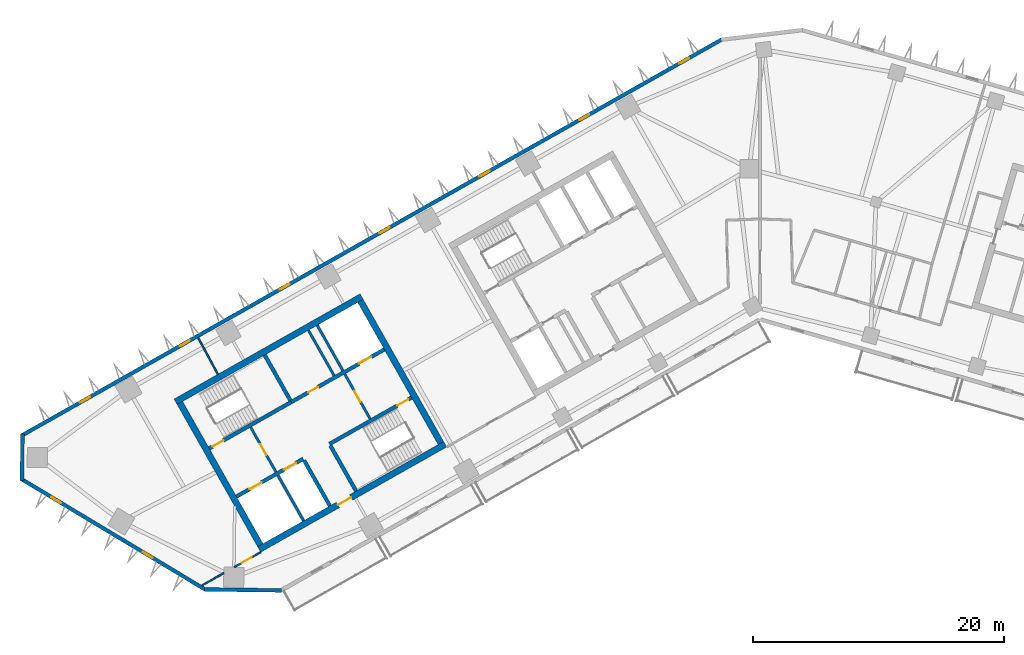
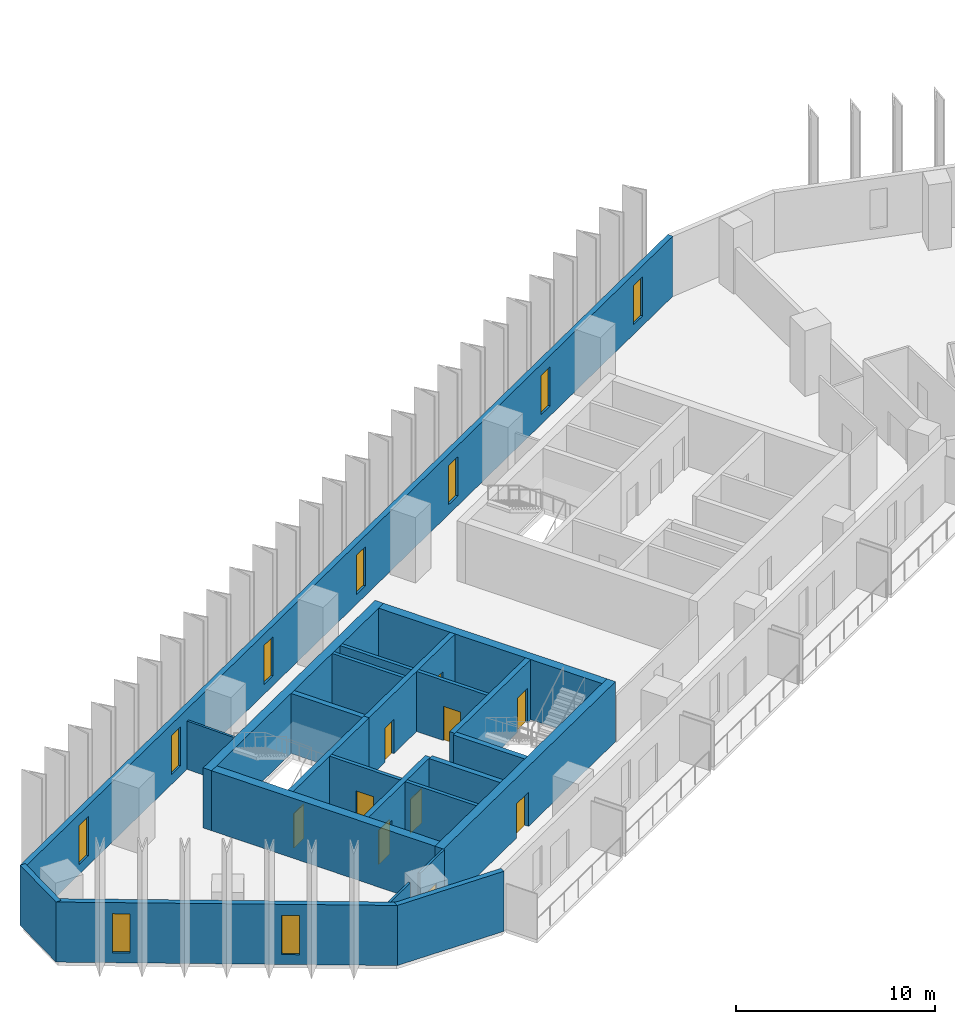
# One storey, part 3 of 10: 23 walls, 10 doors, 9 windows, 19 openings.
"""IFC4 building model written with IfcOpenShell, lengths in metres."""

import ifcopenshell
import ifcopenshell.guid

model = None  # the IFC model being written
_history = None  # IfcOwnerHistory: only IFC2X3 demands one
_inside = {}  # id of a spatial element -> (the spatial element, [elements in it])
_under = {}  # id of a project, library or spatial element -> (it, [spatial elements below it])
_declared = {}  # id of a project -> (the project, [libraries it declares])
_typed = {}  # id of a type object -> (the type object, [elements of that type])
_made_of = {}  # id of a material, layer set ... -> (it, [elements and type objects made of it])


def new_model(schema):
    """Start an empty IFC model of exactly this schema.

    Asked for "IFC4X3", IfcOpenShell would pick the latest addendum, in which some entities
    have other attributes; the version numbers below select the first issue.
    IFC2X3 requires an IfcOwnerHistory on every rooted entity: one is made here for all.
    """
    global model, _history
    if schema == "IFC4X3":
        model = ifcopenshell.file(schema_version=(4, 3, 0, 0))
    else:
        model = ifcopenshell.file(schema=schema)
    _inside.clear()
    _under.clear()
    _declared.clear()
    _typed.clear()
    _made_of.clear()
    _history = None
    if model.schema == "IFC2X3":
        org = make("IfcOrganization", Name="unknown")
        user = make(
            "IfcPersonAndOrganization",
            ThePerson=make("IfcPerson", FamilyName="unknown"),
            TheOrganization=org,
        )
        app = make(
            "IfcApplication",
            ApplicationDeveloper=org,
            Version="unknown",
            ApplicationFullName="unknown",
            ApplicationIdentifier="unknown",
        )
        _history = make(
            "IfcOwnerHistory",
            OwningUser=user,
            OwningApplication=app,
            ChangeAction="ADDED",
            CreationDate=0,
        )
    return model


def make(cls, **values):
    """One entity of the class cls with the attributes given. An attribute that is None is left unset."""
    return model.create_entity(
        cls, **{name: value for name, value in values.items() if value is not None}
    )


def rooted(cls, **values):
    """An entity with a GlobalId (a new one), such as an element, a storey or a relation."""
    return make(cls, GlobalId=ifcopenshell.guid.new(), OwnerHistory=_history, **values)


def si_unit(unit_type, name, prefix=None):
    """IfcSIUnit, for example si_unit("LENGTHUNIT", "METRE", prefix="MILLI")."""
    return make("IfcSIUnit", UnitType=unit_type, Prefix=prefix, Name=name)


def assignment(units):
    """IfcUnitAssignment: the units of a project."""
    return None if units is None else make("IfcUnitAssignment", Units=units)


def point(xyz):
    """IfcCartesianPoint."""
    return None if xyz is None else make("IfcCartesianPoint", Coordinates=xyz)


def direction(xyz):
    """IfcDirection."""
    return None if xyz is None else make("IfcDirection", DirectionRatios=xyz)


def frame(location, z_axis=None, x_axis=None):
    """IfcAxis2Placement3D, a coordinate frame: its origin and axes. An axis left out is left unset."""
    return make(
        "IfcAxis2Placement3D",
        Location=point(location),
        Axis=direction(z_axis),
        RefDirection=direction(x_axis),
    )


def frame_2d(location, x_axis=None):
    """IfcAxis2Placement2D, a coordinate frame in the plane: its origin and x axis."""
    return make(
        "IfcAxis2Placement2D", Location=point(location), RefDirection=direction(x_axis)
    )


def origin():
    """The frame at (0, 0, 0) with its axes left unset."""
    return frame((0.0, 0.0, 0.0))


def place(relative_to, where):
    """IfcLocalPlacement: puts the frame where relative to a parent placement (None: the world)."""
    return make(
        "IfcLocalPlacement", PlacementRelTo=relative_to, RelativePlacement=where
    )


def context(
    kind, dimensions, precision=None, world=None, true_north=None, identifier=None
):
    """IfcGeometricRepresentationContext, for example the 3D "Model" context."""
    return make(
        "IfcGeometricRepresentationContext",
        ContextIdentifier=identifier,
        ContextType=kind,
        CoordinateSpaceDimension=dimensions,
        Precision=precision,
        WorldCoordinateSystem=world,
        TrueNorth=true_north,
    )


def subcontext(parent, identifier, kind, view, scale=None):
    """IfcGeometricRepresentationSubContext, for example "Body" below "Model"."""
    return make(
        "IfcGeometricRepresentationSubContext",
        ContextIdentifier=identifier,
        ContextType=kind,
        ParentContext=parent,
        TargetScale=scale,
        TargetView=view,
    )


def project(units=None, contexts=None):
    """IfcProject with its units and contexts."""
    return rooted(
        "IfcProject",
        Name="project",
        RepresentationContexts=contexts,
        UnitsInContext=assignment(units),
    )


def spatial(cls, under=None, at=None, **own):
    """A site, building, storey or space (cls), placed at a placement, below another one or the project."""
    s = rooted(cls, ObjectPlacement=at, **own)
    if under is not None:
        _under.setdefault(under.id(), (under, []))[1].append(s)
    return s


def profile(cls, at=None, kind="AREA", **sizes):
    """A parametric profile (cls). Its sizes go by their IFC names, for example OverallWidth=200.0."""
    return make(cls, ProfileType=kind, Position=at, **sizes)


def rectangle(**sizes):
    """IfcRectangleProfileDef."""
    return profile("IfcRectangleProfileDef", **sizes)


def extrude(swept, where, along, depth):
    """IfcExtrudedAreaSolid: the profile swept, set in the frame where, extruded along a direction by depth."""
    return make(
        "IfcExtrudedAreaSolid",
        SweptArea=swept,
        Position=where,
        ExtrudedDirection=direction(along),
        Depth=depth,
    )


def shape(context_of_items, identifier, shape_type, items):
    """IfcShapeRepresentation: the items that make up one representation, for example the "Body"."""
    return make(
        "IfcShapeRepresentation",
        ContextOfItems=context_of_items,
        RepresentationIdentifier=identifier,
        RepresentationType=shape_type,
        Items=items,
    )


def material(Name=None, Category=None):
    """IfcMaterial."""
    return make("IfcMaterial", Name=Name, Category=Category)


def layer(
    of_material, thickness, ventilated=None, Name=None, Category=None, Priority=None
):
    """IfcMaterialLayer: one layer of a wall or slab, of a material (None: an air gap)."""
    return make(
        "IfcMaterialLayer",
        Material=of_material,
        LayerThickness=thickness,
        IsVentilated=ventilated,
        Name=Name,
        Category=Category,
        Priority=Priority,
    )


def layer_set(layers, Name=None):
    """IfcMaterialLayerSet."""
    return make("IfcMaterialLayerSet", MaterialLayers=layers, LayerSetName=Name)


def made_of(thing, what):
    """Note that an element or type object is made of a material, layer set ...; save() writes the relation."""
    if what is not None:
        _made_of.setdefault(what.id(), (what, []))[1].append(thing)
    return thing


def type_object(cls, material=None, **own):
    """A type object (cls), such as IfcWallType, which elements share."""
    return made_of(rooted(cls, **own), material)


def element(
    cls,
    number,
    at=None,
    inside=None,
    cuts=None,
    type_object=None,
    material=None,
    context=None,
    identifier="Body",
    shape_type=None,
    held_by="IfcProductDefinitionShape",
    body=None,
    shapes=None,
    **own,
):
    """One element of the class cls, such as IfcWall. Its Tag is "e" and its number.

    at: its placement. inside: the storey or other place that contains it. cuts: it is an
    opening in that element (IfcRelVoidsElement). A single representation is given by context,
    identifier, shape_type and body (its items); several are given by shapes. held_by: the class
    of the entity that holds the representations. save() writes the other relations.
    """
    e = rooted(cls, Tag="e%d" % number, ObjectPlacement=at, **own)
    if body is not None:
        shapes = [shape(context, identifier, shape_type, body)]
    if shapes is not None:
        e.Representation = make(held_by, Representations=shapes)
    if inside is not None:
        _inside.setdefault(inside.id(), (inside, []))[1].append(e)
    if cuts is not None:
        rooted(
            "IfcRelVoidsElement", RelatingBuildingElement=cuts, RelatedOpeningElement=e
        )
    if type_object is not None:
        _typed.setdefault(type_object.id(), (type_object, []))[1].append(e)
    return made_of(e, material)


def fill(opening, filler):
    """IfcRelFillsElement: the door or window that sits in an opening."""
    return rooted(
        "IfcRelFillsElement",
        RelatingOpeningElement=opening,
        RelatedBuildingElement=filler,
    )


def aggregate(whole, parts):
    """IfcRelAggregates: a whole, such as a stair, and the parts it consists of."""
    return rooted("IfcRelAggregates", RelatingObject=whole, RelatedObjects=parts)


def save(model, path):
    """Write the relations noted so far, then the file.

    IfcRelAggregates (storeys below a building ...), IfcRelContainedInSpatialStructure (elements
    in a storey), IfcRelDefinesByType, IfcRelAssociatesMaterial and IfcRelDeclares: one each for
    every whole, place, type object, material and project.
    """
    for whole, parts in _under.values():
        aggregate(whole, parts)
    for where, things in _inside.values():
        rooted(
            "IfcRelContainedInSpatialStructure",
            RelatedElements=things,
            RelatingStructure=where,
        )
    for kind, things in _typed.values():
        rooted("IfcRelDefinesByType", RelatedObjects=things, RelatingType=kind)
    for what, things in _made_of.values():
        rooted("IfcRelAssociatesMaterial", RelatedObjects=things, RelatingMaterial=what)
    for by, libraries in _declared.values():
        rooted("IfcRelDeclares", RelatingContext=by, RelatedDefinitions=libraries)
    model.write(path)


model = new_model("IFC4")

# Units and contexts
model_context = context("Model", 3, precision=1e-05, world=origin(), true_north=direction((0.0, 1.0)))
body_context = subcontext(model_context, "Body", "Model", "MODEL_VIEW")
ifc_project = project(units=[si_unit("LENGTHUNIT", "METRE"), si_unit("AREAUNIT", "SQUARE_METRE"), si_unit("VOLUMEUNIT", "CUBIC_METRE"), si_unit("PLANEANGLEUNIT", "RADIAN"), si_unit("MASSUNIT", "GRAM", prefix="KILO")], contexts=[model_context])

# Site, building, storey
site_placement = place(None, origin())
site = spatial("IfcSite", under=ifc_project, at=site_placement, CompositionType="ELEMENT")
building_placement = place(site_placement, origin())
building = spatial("IfcBuilding", under=site, at=building_placement, Name="Binnacle Exchange Tower", CompositionType="ELEMENT")
storey_placement = place(building_placement, frame((0.0, 0.0, 170.89990234375)))
storey = spatial("IfcBuildingStorey", under=building, at=storey_placement, Name="L36", CompositionType="ELEMENT", Elevation=170.89990234375)

# Wall, openings, doors
ifc_material_1 = material(Name="Concrete C70/85", Category="concrete")
ifc_layer_1 = layer(ifc_material_1, 0.300048828125)
ifc_layer_set_1 = layer_set([ifc_layer_1], Name="Core wall - front 300")
wall_type_1 = type_object("IfcWallType", Name="Core wall - front 300", PredefinedType="SOLIDWALL", material=ifc_layer_set_1)
wall_1_placement = place(storey_placement, frame((-41.64306640625, 33.91162109375, 0.0), z_axis=(0.0, 0.0, 1.0), x_axis=(0.870343599782, 0.492444939378, 0.0)))
wall_1 = element("IfcWall", 1, at=wall_1_placement, inside=storey, type_object=wall_type_1, Name="Core wall CRWA2", PredefinedType="SOLIDWALL", context=body_context, shape_type="SweptSolid", body=[
    extrude(rectangle(XDim=6.10009765625, YDim=0.300048828125, at=frame_2d((3.050048828125, 0.0))), origin(), (0.0, 0.0, 1.0), 3.68017578125),
])
opening_1_placement = place(wall_1_placement, frame((1.199951171875, 0.0, 0.0)))
opening_1 = element("IfcOpeningElement", 2, at=opening_1_placement, cuts=wall_1, Name="Opening LD12", PredefinedType="OPENING", context=body_context, shape_type="SweptSolid", body=[
    extrude(rectangle(XDim=1.10009765625, YDim=2.10009765625, at=frame_2d((0.550048828125, 1.050048828125))), frame((0.0, 0.159912109375, 0.0), z_axis=(0.0, -1.0, 0.0), x_axis=(1.0, 0.0, 0.0)), (0.0, 0.0, 1.0), 0.320068359375),
])
opening_2_placement = place(wall_1_placement, frame((4.35009765625, 0.0, 0.0)))
opening_2 = element("IfcOpeningElement", 3, at=opening_2_placement, cuts=wall_1, Name="Opening LD8", PredefinedType="OPENING", context=body_context, shape_type="SweptSolid", body=[
    extrude(rectangle(XDim=1.10009765625, YDim=2.10009765625, at=frame_2d((0.550048828125, 1.050048828125))), frame((0.0, 0.159912109375, 0.0), z_axis=(0.0, -1.0, 0.0), x_axis=(1.0, 0.0, 0.0)), (0.0, 0.0, 1.0), 0.320068359375),
])
ifc_material_2 = material(Name="Steel door leaf", Category="steel")
door_type_1 = type_object("IfcDoorType", Name="Fire door - lift landing 1100", OperationType="NOTDEFINED", PredefinedType="DOOR", material=ifc_material_2)
door_1_placement = place(opening_1_placement, origin())
door_1 = element("IfcDoor", 4, at=door_1_placement, inside=storey, type_object=door_type_1, Name="Landing door LD12 L36", OperationType="DOUBLE_DOOR_SLIDING", OverallHeight=2.10009765625, OverallWidth=1.10009765625, PredefinedType="DOOR", context=body_context, shape_type="SweptSolid", body=[
    extrude(rectangle(XDim=1.10009765625, YDim=2.10009765625, at=frame_2d((0.550048828125, 1.050048828125))), frame((0.0, 0.02490234375, 0.0), z_axis=(0.0, -1.0, 0.0), x_axis=(1.0, 0.0, 0.0)), (0.0, 0.0, 1.0), 0.050048828125),
])
fill(opening_1, door_1)
door_2_placement = place(opening_2_placement, origin())
door_2 = element("IfcDoor", 5, at=door_2_placement, inside=storey, type_object=door_type_1, Name="Landing door LD8 L36", OperationType="DOUBLE_DOOR_SLIDING", OverallHeight=2.10009765625, OverallWidth=1.10009765625, PredefinedType="DOOR", context=body_context, shape_type="SweptSolid", body=[
    extrude(rectangle(XDim=1.10009765625, YDim=2.10009765625, at=frame_2d((0.550048828125, 1.050048828125))), frame((0.0, 0.02490234375, 0.0), z_axis=(0.0, -1.0, 0.0), x_axis=(1.0, 0.0, 0.0)), (0.0, 0.0, 1.0), 0.050048828125),
])
fill(opening_2, door_2)

wall_2_placement = place(storey_placement, frame((-37.281982421875, 41.4345703125, 0.0), z_axis=(0.0, 0.0, 1.0), x_axis=(0.870356271124, 0.492422543467, 0.0)))
wall_2 = element("IfcWall", 6, at=wall_2_placement, inside=storey, type_object=wall_type_1, Name="Core wall CRWA5", PredefinedType="SOLIDWALL", context=body_context, shape_type="SweptSolid", body=[
    extrude(rectangle(XDim=8.5, YDim=0.300048828125, at=frame_2d((4.25, 0.0))), origin(), (0.0, 0.0, 1.0), 3.68017578125),
])
opening_3_placement = place(wall_2_placement, frame((6.199951171875, 0.0, 0.0)))
opening_3 = element("IfcOpeningElement", 7, at=opening_3_placement, cuts=wall_2, Name="Opening LD13", PredefinedType="OPENING", context=body_context, shape_type="SweptSolid", body=[
    extrude(rectangle(XDim=1.10009765625, YDim=2.10009765625, at=frame_2d((0.550048828125, 1.050048828125))), frame((0.0, 0.159912109375, 0.0), z_axis=(0.0, -1.0, 0.0), x_axis=(1.0, 0.0, 0.0)), (0.0, 0.0, 1.0), 0.320068359375),
])
opening_4_placement = place(wall_2_placement, frame((1.550048828125, 0.0, 0.0)))
opening_4 = element("IfcOpeningElement", 8, at=opening_4_placement, cuts=wall_2, Name="Opening DA10", PredefinedType="OPENING", context=body_context, shape_type="SweptSolid", body=[
    extrude(rectangle(XDim=0.89990234375, YDim=2.10009765625, at=frame_2d((0.449951171875, 1.050048828125))), frame((0.0, 0.159912109375, 0.0), z_axis=(0.0, -1.0, 0.0), x_axis=(1.0, 0.0, 0.0)), (0.0, 0.0, 1.0), 0.320068359375),
])
door_3_placement = place(opening_3_placement, origin())
door_3 = element("IfcDoor", 9, at=door_3_placement, inside=storey, type_object=door_type_1, Name="Landing door LD13 L36", OperationType="DOUBLE_DOOR_SLIDING", OverallHeight=2.10009765625, OverallWidth=1.10009765625, PredefinedType="DOOR", context=body_context, shape_type="SweptSolid", body=[
    extrude(rectangle(XDim=1.10009765625, YDim=2.10009765625, at=frame_2d((0.550048828125, 1.050048828125))), frame((0.0, 0.02490234375, 0.0), z_axis=(0.0, -1.0, 0.0), x_axis=(1.0, 0.0, 0.0)), (0.0, 0.0, 1.0), 0.050048828125),
])
fill(opening_3, door_3)
door_type_2 = type_object("IfcDoorType", Name="Fire door 900", OperationType="NOTDEFINED", PredefinedType="DOOR", material=ifc_material_2)
door_4_placement = place(opening_4_placement, origin())
door_4 = element("IfcDoor", 10, at=door_4_placement, inside=storey, type_object=door_type_2, Name="Core room door EQUIPMENT STORE", OperationType="SINGLE_SWING_LEFT", OverallHeight=2.10009765625, OverallWidth=0.89990234375, PredefinedType="DOOR", context=body_context, shape_type="SweptSolid", body=[
    extrude(rectangle(XDim=0.89990234375, YDim=2.10009765625, at=frame_2d((0.449951171875, 1.050048828125))), frame((0.0, 0.02490234375, 0.0), z_axis=(0.0, -1.0, 0.0), x_axis=(1.0, 0.0, 0.0)), (0.0, 0.0, 1.0), 0.050048828125),
])
fill(opening_4, door_4)

# Wall
wall_3_placement = place(storey_placement, frame((-36.260009765625, 36.784912109375, 0.0), z_axis=(0.0, 0.0, 1.0), x_axis=(0.492421666909, -0.870356767055, 0.0)))
element("IfcWall", 11, at=wall_3_placement, inside=storey, type_object=wall_type_1, Name="Core wall CRWA13", PredefinedType="SOLIDWALL", context=body_context, shape_type="SweptSolid", body=[
    extrude(rectangle(XDim=4.14990234375, YDim=0.300048828125, at=frame_2d((2.074951171875, 0.0))), origin(), (0.0, 0.0, 1.0), 3.68017578125),
])

# Wall, opening, door
ifc_layer_2 = layer(ifc_material_1, 0.5)
ifc_layer_set_2 = layer_set([ifc_layer_2], Name="Core wall - outer 500")
wall_type_2 = type_object("IfcWallType", Name="Core wall - outer 500", PredefinedType="SOLIDWALL", material=ifc_layer_set_2)
wall_4_placement = place(storey_placement, frame((-39.837646484375, 29.705322265625, 0.0), z_axis=(0.0, 0.0, 1.0), x_axis=(0.870350116061, 0.492433422375, 0.0)))
wall_4 = element("IfcWall", 12, at=wall_4_placement, inside=storey, type_object=wall_type_2, Name="Core wall CRWA1", PredefinedType="SOLIDWALL", context=body_context, shape_type="SweptSolid", body=[
    extrude(rectangle(XDim=17.0, YDim=0.5, at=frame_2d((8.5, 0.0))), origin(), (0.0, 0.0, 1.0), 3.68017578125),
])
opening_5_placement = place(wall_4_placement, frame((7.199951171875, 0.0, 0.0)))
opening_5 = element("IfcOpeningElement", 13, at=opening_5_placement, cuts=wall_4, Name="Opening DA7", PredefinedType="OPENING", context=body_context, shape_type="SweptSolid", body=[
    extrude(rectangle(XDim=1.199951171875, YDim=2.10009765625, at=frame_2d((0.60009765625, 1.050048828125))), frame((0.0, 0.260009765625, 0.0), z_axis=(0.0, -1.0, 0.0), x_axis=(1.0, 0.0, 0.0)), (0.0, 0.0, 1.0), 0.52001953125),
])
door_type_3 = type_object("IfcDoorType", Name="Fire door 1200", OperationType="NOTDEFINED", PredefinedType="DOOR", material=ifc_material_2)
door_5_placement = place(opening_5_placement, frame((1.199951171875, 0.0, 0.0), z_axis=(0.0, 0.0, 1.0), x_axis=(-1.0, 0.0, 0.0)))
door_5 = element("IfcDoor", 14, at=door_5_placement, inside=storey, type_object=door_type_3, Name="Lift lobby entrance door core A", OperationType="SINGLE_SWING_RIGHT", OverallHeight=2.10009765625, OverallWidth=1.199951171875, PredefinedType="DOOR", context=body_context, shape_type="SweptSolid", body=[
    extrude(rectangle(XDim=1.199951171875, YDim=2.10009765625, at=frame_2d((0.60009765625, 1.050048828125))), frame((0.0, 0.02490234375, 0.0), z_axis=(0.0, -1.0, 0.0), x_axis=(1.0, 0.0, 0.0)), (0.0, 0.0, 1.0), 0.050048828125),
])
fill(opening_5, door_5)

# Walls
wall_5_placement = place(storey_placement, frame((-46.485595703125, 41.455078125, 0.0), z_axis=(0.0, 0.0, 1.0), x_axis=(0.870353598469, 0.492427267353, 0.0)))
element("IfcWall", 15, at=wall_5_placement, inside=storey, type_object=wall_type_2, Name="Core wall CRWA6", PredefinedType="SOLIDWALL", context=body_context, shape_type="SweptSolid", body=[
    extrude(rectangle(XDim=17.000244140625, YDim=0.5, at=frame_2d((8.5, 0.0))), origin(), (0.0, 0.0, 1.0), 3.68017578125),
])
for number, where, z_axis, x_axis, name in (
    (16, (-46.144775390625, 41.360595703125, 0.0), (0.0, 0.0, 1.0), (0.492435316254, -0.870349044525, 0.0), "Core wall CRWA7"),
    (17, (-31.783935546875, 49.485595703125, 0.0), (0.0, 0.0, 1.0), (0.492435316254, -0.870349044525, 0.0), "Core wall CRWA22"),
):
    element("IfcWall", number, at=place(storey_placement, frame(where, z_axis=z_axis, x_axis=x_axis)), inside=storey, type_object=wall_type_2, Name=name, PredefinedType="SOLIDWALL", context=body_context, shape_type="SweptSolid", body=[
        extrude(rectangle(XDim=13.0, YDim=0.5, at=frame_2d((6.5, 0.0))), origin(), (0.0, 0.0, 1.0), 3.68017578125),
    ])

# Wall, opening, door
ifc_layer_3 = layer(ifc_material_1, 0.300048828125)
ifc_layer_set_3 = layer_set([ifc_layer_3], Name="Core wall - stair 300")
wall_type_3 = type_object("IfcWallType", Name="Core wall - stair 300", PredefinedType="SOLIDWALL", material=ifc_layer_set_3)
wall_6_placement = place(storey_placement, frame((-34.2451171875, 38.097412109375, 0.0), z_axis=(0.0, 0.0, 1.0), x_axis=(0.870364520461, 0.492407962489, 0.0)))
wall_6 = element("IfcWall", 18, at=wall_6_placement, inside=storey, type_object=wall_type_3, Name="Core wall CRWA3", PredefinedType="SOLIDWALL", context=body_context, shape_type="SweptSolid", body=[
    extrude(rectangle(XDim=7.5, YDim=0.300048828125, at=frame_2d((3.75, 0.0))), origin(), (0.0, 0.0, 1.0), 3.68017578125),
])
opening_6_placement = place(wall_6_placement, frame((6.199951171875, 0.0, 0.0)))
opening_6 = element("IfcOpeningElement", 19, at=opening_6_placement, cuts=wall_6, Name="Opening DA2", PredefinedType="OPENING", context=body_context, shape_type="SweptSolid", body=[
    extrude(rectangle(XDim=1.0, YDim=2.10009765625, at=frame_2d((0.5, 1.050048828125))), frame((0.0, 0.159912109375, 0.0), z_axis=(0.0, -1.0, 0.0), x_axis=(1.0, 0.0, 0.0)), (0.0, 0.0, 1.0), 0.320068359375),
])
door_type_4 = type_object("IfcDoorType", Name="Fire door 1000", OperationType="NOTDEFINED", PredefinedType="DOOR", material=ifc_material_2)
door_6_placement = place(opening_6_placement, frame((1.0, 0.0, 0.0), z_axis=(0.0, 0.0, 1.0), x_axis=(-1.0, 0.0, 0.0)))
door_6 = element("IfcDoor", 20, at=door_6_placement, inside=storey, type_object=door_type_4, Name="Stair door ST-A2", OperationType="SINGLE_SWING_LEFT", OverallHeight=2.10009765625, OverallWidth=1.0, PredefinedType="DOOR", context=body_context, shape_type="SweptSolid", body=[
    extrude(rectangle(XDim=1.0, YDim=2.10009765625, at=frame_2d((0.5, 1.050048828125))), frame((0.0, 0.02490234375, 0.0), z_axis=(0.0, -1.0, 0.0), x_axis=(1.0, 0.0, 0.0)), (0.0, 0.0, 1.0), 0.050048828125),
])
fill(opening_6, door_6)

wall_7_placement = place(storey_placement, frame((-43.809814453125, 37.7412109375, 0.0), z_axis=(0.0, 0.0, 1.0), x_axis=(0.870350569555, 0.492432620848, 0.0)))
wall_7 = element("IfcWall", 21, at=wall_7_placement, inside=storey, type_object=wall_type_3, Name="Core wall CRWA4", PredefinedType="SOLIDWALL", context=body_context, shape_type="SweptSolid", body=[
    extrude(rectangle(XDim=7.500244140625, YDim=0.300048828125, at=frame_2d((3.75, 0.0))), origin(), (0.0, 0.0, 1.0), 3.68017578125),
])
opening_7_placement = place(wall_7_placement, frame((0.2998046875, 0.0, 0.0)))
opening_7 = element("IfcOpeningElement", 22, at=opening_7_placement, cuts=wall_7, Name="Opening DA1", PredefinedType="OPENING", context=body_context, shape_type="SweptSolid", body=[
    extrude(rectangle(XDim=1.0, YDim=2.10009765625, at=frame_2d((0.5, 1.050048828125))), frame((0.0, 0.159912109375, 0.0), z_axis=(0.0, -1.0, 0.0), x_axis=(1.0, 0.0, 0.0)), (0.0, 0.0, 1.0), 0.320068359375),
])
door_7_placement = place(opening_7_placement, origin())
door_7 = element("IfcDoor", 23, at=door_7_placement, inside=storey, type_object=door_type_4, Name="Stair door ST-A1", OperationType="SINGLE_SWING_LEFT", OverallHeight=2.10009765625, OverallWidth=1.0, PredefinedType="DOOR", context=body_context, shape_type="SweptSolid", body=[
    extrude(rectangle(XDim=1.0, YDim=2.10009765625, at=frame_2d((0.5, 1.050048828125))), frame((0.0, 0.02490234375, 0.0), z_axis=(0.0, -1.0, 0.0), x_axis=(1.0, 0.0, 0.0)), (0.0, 0.0, 1.0), 0.050048828125),
])
fill(opening_7, door_7)

# Walls
for number, where, z_axis, x_axis, name in (
    (24, (-39.3994140625, 45.177001953125, 0.0), (0.0, 0.0, 1.0), (0.492396453737, -0.870371031427, 0.0), "Core wall CRWA14"),
    (25, (-34.171142578125, 37.966796875, 0.0), (0.0, 0.0, 1.0), (0.492396453737, -0.870371031427, 0.0), "Core wall CRWA16"),
):
    element("IfcWall", number, at=place(storey_placement, frame(where, z_axis=z_axis, x_axis=x_axis)), inside=storey, type_object=wall_type_3, Name=name, PredefinedType="SOLIDWALL", context=body_context, shape_type="SweptSolid", body=[
        extrude(rectangle(XDim=4.14990234375, YDim=0.300048828125, at=frame_2d((2.074951171875, 0.0))), origin(), (0.0, 0.0, 1.0), 3.68017578125),
    ])
ifc_material_3 = material(Name="Bronze aluminium cladding", Category="aluminium")
ifc_layer_4 = layer(ifc_material_3, 0.300048828125)
ifc_layer_set_4 = layer_set([ifc_layer_4], Name="External wall - spandrel 300")
wall_type_4 = type_object("IfcWallType", Name="External wall - spandrel 300", PredefinedType="STANDARD", material=ifc_layer_set_4)
wall_8_placement = place(storey_placement, frame((-38.057373046875, 26.44482421875, 0.0), z_axis=(0.0, 0.0, 1.0), x_axis=(-0.999914086342, 0.013108010296, 0.0)))
element("IfcWall", 26, at=wall_8_placement, inside=storey, type_object=wall_type_4, Name="External wall EW-G00 L36", PredefinedType="STANDARD", context=body_context, shape_type="SweptSolid", body=[
    extrude(rectangle(XDim=6.127685546875, YDim=0.300048828125, at=frame_2d((3.06396484375, 0.0))), origin(), (0.0, 0.0, 1.0), 3.68017578125),
])

# Wall, openings, windows
wall_9_placement = place(storey_placement, frame((-58.744873046875, 38.763671875, 0.0), z_axis=(0.0, 0.0, 1.0), x_axis=(0.870355811726, 0.492423355453, 0.0)))
wall_9 = element("IfcWall", 27, at=wall_9_placement, inside=storey, type_object=wall_type_4, Name="External wall EW-G08 L36", PredefinedType="STANDARD", context=body_context, shape_type="SweptSolid", body=[
    extrude(rectangle(XDim=64.025390625, YDim=0.300048828125, at=frame_2d((32.0126953125, 0.0))), origin(), (0.0, 0.0, 1.0), 3.68017578125),
])
opening_8_placement = place(wall_9_placement, frame((60.12158203125, 0.0, 0.60009765625)))
opening_8 = element("IfcOpeningElement", 28, at=opening_8_placement, cuts=wall_9, Name="Opening WS3", PredefinedType="OPENING", context=body_context, shape_type="SweptSolid", body=[
    extrude(rectangle(XDim=0.89990234375, YDim=2.39990234375, at=frame_2d((0.449951171875, 1.199951171875))), frame((0.0, 0.159912109375, 0.0), z_axis=(0.0, -1.0, 0.0), x_axis=(1.0, 0.0, 0.0)), (0.0, 0.0, 1.0), 0.320068359375),
])
opening_9_placement = place(wall_9_placement, frame((50.99169921875, 0.0, 0.60009765625)))
opening_9 = element("IfcOpeningElement", 29, at=opening_9_placement, cuts=wall_9, Name="Opening WS3", PredefinedType="OPENING", context=body_context, shape_type="SweptSolid", body=[
    extrude(rectangle(XDim=0.89990234375, YDim=2.39990234375, at=frame_2d((0.449951171875, 1.199951171875))), frame((0.0, 0.159912109375, 0.0), z_axis=(0.0, -1.0, 0.0), x_axis=(1.0, 0.0, 0.0)), (0.0, 0.0, 1.0), 0.320068359375),
])
opening_10_placement = place(wall_9_placement, frame((41.86181640625, 0.0, 0.60009765625)))
opening_10 = element("IfcOpeningElement", 30, at=opening_10_placement, cuts=wall_9, Name="Opening WS3", PredefinedType="OPENING", context=body_context, shape_type="SweptSolid", body=[
    extrude(rectangle(XDim=0.89990234375, YDim=2.39990234375, at=frame_2d((0.449951171875, 1.199951171875))), frame((0.0, 0.159912109375, 0.0), z_axis=(0.0, -1.0, 0.0), x_axis=(1.0, 0.0, 0.0)), (0.0, 0.0, 1.0), 0.320068359375),
])
opening_11_placement = place(wall_9_placement, frame((32.73193359375, 0.0, 0.60009765625)))
opening_11 = element("IfcOpeningElement", 31, at=opening_11_placement, cuts=wall_9, Name="Opening WS3", PredefinedType="OPENING", context=body_context, shape_type="SweptSolid", body=[
    extrude(rectangle(XDim=0.89990234375, YDim=2.39990234375, at=frame_2d((0.449951171875, 1.199951171875))), frame((0.0, 0.159912109375, 0.0), z_axis=(0.0, -1.0, 0.0), x_axis=(1.0, 0.0, 0.0)), (0.0, 0.0, 1.0), 0.320068359375),
])
opening_12_placement = place(wall_9_placement, frame((23.60205078125, 0.0, 0.60009765625)))
opening_12 = element("IfcOpeningElement", 32, at=opening_12_placement, cuts=wall_9, Name="Opening WS3", PredefinedType="OPENING", context=body_context, shape_type="SweptSolid", body=[
    extrude(rectangle(XDim=0.89990234375, YDim=2.39990234375, at=frame_2d((0.449951171875, 1.199951171875))), frame((0.0, 0.159912109375, 0.0), z_axis=(0.0, -1.0, 0.0), x_axis=(1.0, 0.0, 0.0)), (0.0, 0.0, 1.0), 0.320068359375),
])
opening_13_placement = place(wall_9_placement, frame((14.47216796875, 0.0, 0.60009765625)))
opening_13 = element("IfcOpeningElement", 33, at=opening_13_placement, cuts=wall_9, Name="Opening WS3", PredefinedType="OPENING", context=body_context, shape_type="SweptSolid", body=[
    extrude(rectangle(XDim=0.89990234375, YDim=2.39990234375, at=frame_2d((0.449951171875, 1.199951171875))), frame((0.0, 0.159912109375, 0.0), z_axis=(0.0, -1.0, 0.0), x_axis=(1.0, 0.0, 0.0)), (0.0, 0.0, 1.0), 0.320068359375),
])
opening_14_placement = place(wall_9_placement, frame((5.34228515625, 0.0, 0.60009765625)))
opening_14 = element("IfcOpeningElement", 34, at=opening_14_placement, cuts=wall_9, Name="Opening WS3", PredefinedType="OPENING", context=body_context, shape_type="SweptSolid", body=[
    extrude(rectangle(XDim=0.89990234375, YDim=2.39990234375, at=frame_2d((0.449951171875, 1.199951171875))), frame((0.0, 0.159912109375, 0.0), z_axis=(0.0, -1.0, 0.0), x_axis=(1.0, 0.0, 0.0)), (0.0, 0.0, 1.0), 0.320068359375),
])
ifc_material_4 = material(Name="Bronze anodised aluminium frame", Category="aluminium")
window_type = type_object("IfcWindowType", Name="WS3 WINDOW 900x2400", PartitioningType="SINGLE_PANEL", PredefinedType="WINDOW", material=ifc_material_4)
window_1_placement = place(opening_8_placement, origin())
window_1 = element("IfcWindow", 35, at=window_1_placement, inside=storey, type_object=window_type, Name="Window WS3 L36", OverallHeight=2.39990234375, OverallWidth=0.89990234375, PartitioningType="SINGLE_PANEL", PredefinedType="WINDOW", context=body_context, shape_type="SweptSolid", body=[
    extrude(rectangle(XDim=0.89990234375, YDim=2.39990234375, at=frame_2d((0.449951171875, 1.199951171875))), frame((0.0, 0.030029296875, 0.0), z_axis=(0.0, -1.0, 0.0), x_axis=(1.0, 0.0, 0.0)), (0.0, 0.0, 1.0), 0.06005859375),
])
fill(opening_8, window_1)
window_2_placement = place(opening_9_placement, origin())
window_2 = element("IfcWindow", 36, at=window_2_placement, inside=storey, type_object=window_type, Name="Window WS3 L36", OverallHeight=2.39990234375, OverallWidth=0.89990234375, PartitioningType="SINGLE_PANEL", PredefinedType="WINDOW", context=body_context, shape_type="SweptSolid", body=[
    extrude(rectangle(XDim=0.89990234375, YDim=2.39990234375, at=frame_2d((0.449951171875, 1.199951171875))), frame((0.0, 0.030029296875, 0.0), z_axis=(0.0, -1.0, 0.0), x_axis=(1.0, 0.0, 0.0)), (0.0, 0.0, 1.0), 0.06005859375),
])
fill(opening_9, window_2)
window_3_placement = place(opening_10_placement, origin())
window_3 = element("IfcWindow", 37, at=window_3_placement, inside=storey, type_object=window_type, Name="Window WS3 L36", OverallHeight=2.39990234375, OverallWidth=0.89990234375, PartitioningType="SINGLE_PANEL", PredefinedType="WINDOW", context=body_context, shape_type="SweptSolid", body=[
    extrude(rectangle(XDim=0.89990234375, YDim=2.39990234375, at=frame_2d((0.449951171875, 1.199951171875))), frame((0.0, 0.030029296875, 0.0), z_axis=(0.0, -1.0, 0.0), x_axis=(1.0, 0.0, 0.0)), (0.0, 0.0, 1.0), 0.06005859375),
])
fill(opening_10, window_3)
window_4_placement = place(opening_11_placement, origin())
window_4 = element("IfcWindow", 38, at=window_4_placement, inside=storey, type_object=window_type, Name="Window WS3 L36", OverallHeight=2.39990234375, OverallWidth=0.89990234375, PartitioningType="SINGLE_PANEL", PredefinedType="WINDOW", context=body_context, shape_type="SweptSolid", body=[
    extrude(rectangle(XDim=0.89990234375, YDim=2.39990234375, at=frame_2d((0.449951171875, 1.199951171875))), frame((0.0, 0.030029296875, 0.0), z_axis=(0.0, -1.0, 0.0), x_axis=(1.0, 0.0, 0.0)), (0.0, 0.0, 1.0), 0.06005859375),
])
fill(opening_11, window_4)
window_5_placement = place(opening_12_placement, origin())
window_5 = element("IfcWindow", 39, at=window_5_placement, inside=storey, type_object=window_type, Name="Window WS3 L36", OverallHeight=2.39990234375, OverallWidth=0.89990234375, PartitioningType="SINGLE_PANEL", PredefinedType="WINDOW", context=body_context, shape_type="SweptSolid", body=[
    extrude(rectangle(XDim=0.89990234375, YDim=2.39990234375, at=frame_2d((0.449951171875, 1.199951171875))), frame((0.0, 0.030029296875, 0.0), z_axis=(0.0, -1.0, 0.0), x_axis=(1.0, 0.0, 0.0)), (0.0, 0.0, 1.0), 0.06005859375),
])
fill(opening_12, window_5)
window_6_placement = place(opening_13_placement, origin())
window_6 = element("IfcWindow", 40, at=window_6_placement, inside=storey, type_object=window_type, Name="Window WS3 L36", OverallHeight=2.39990234375, OverallWidth=0.89990234375, PartitioningType="SINGLE_PANEL", PredefinedType="WINDOW", context=body_context, shape_type="SweptSolid", body=[
    extrude(rectangle(XDim=0.89990234375, YDim=2.39990234375, at=frame_2d((0.449951171875, 1.199951171875))), frame((0.0, 0.030029296875, 0.0), z_axis=(0.0, -1.0, 0.0), x_axis=(1.0, 0.0, 0.0)), (0.0, 0.0, 1.0), 0.06005859375),
])
fill(opening_13, window_6)
window_7_placement = place(opening_14_placement, origin())
window_7 = element("IfcWindow", 41, at=window_7_placement, inside=storey, type_object=window_type, Name="Window WS3 L36", OverallHeight=2.39990234375, OverallWidth=0.89990234375, PartitioningType="SINGLE_PANEL", PredefinedType="WINDOW", context=body_context, shape_type="SweptSolid", body=[
    extrude(rectangle(XDim=0.89990234375, YDim=2.39990234375, at=frame_2d((0.449951171875, 1.199951171875))), frame((0.0, 0.030029296875, 0.0), z_axis=(0.0, -1.0, 0.0), x_axis=(1.0, 0.0, 0.0)), (0.0, 0.0, 1.0), 0.06005859375),
])
fill(opening_14, window_7)

# Wall
wall_10_placement = place(storey_placement, frame((-58.717041015625, 35.19384765625, 0.0), z_axis=(0.0, 0.0, 1.0), x_axis=(0.013069053407, 0.999914596275, 0.0)))
element("IfcWall", 42, at=wall_10_placement, inside=storey, type_object=wall_type_4, Name="External wall EW-G09 L36", PredefinedType="STANDARD", context=body_context, shape_type="SweptSolid", body=[
    extrude(rectangle(XDim=3.69873046875, YDim=0.300048828125, at=frame_2d((1.849365234375, 0.0))), origin(), (0.0, 0.0, 1.0), 3.68017578125),
])

# Wall, openings, windows
wall_11_placement = place(storey_placement, frame((-44.109375, 26.503662109375, 0.0), z_axis=(0.0, 0.0, 1.0), x_axis=(-0.857169502585, 0.515034410344, 0.0)))
wall_11 = element("IfcWall", 43, at=wall_11_placement, inside=storey, type_object=wall_type_4, Name="External wall EW-G10 L36", PredefinedType="STANDARD", context=body_context, shape_type="SweptSolid", body=[
    extrude(rectangle(XDim=17.126708984375, YDim=0.300048828125, at=frame_2d((8.5634765625, 0.0))), origin(), (0.0, 0.0, 1.0), 3.68017578125),
])
opening_15_placement = place(wall_11_placement, frame((13.403076171875, 0.0, 0.60009765625)))
opening_15 = element("IfcOpeningElement", 44, at=opening_15_placement, cuts=wall_11, Name="Opening WS3", PredefinedType="OPENING", context=body_context, shape_type="SweptSolid", body=[
    extrude(rectangle(XDim=0.89990234375, YDim=2.39990234375, at=frame_2d((0.449951171875, 1.199951171875))), frame((0.0, 0.159912109375, 0.0), z_axis=(0.0, -1.0, 0.0), x_axis=(1.0, 0.0, 0.0)), (0.0, 0.0, 1.0), 0.320068359375),
])
opening_16_placement = place(wall_11_placement, frame((4.903076171875, 0.0, 0.60009765625)))
opening_16 = element("IfcOpeningElement", 45, at=opening_16_placement, cuts=wall_11, Name="Opening WS3", PredefinedType="OPENING", context=body_context, shape_type="SweptSolid", body=[
    extrude(rectangle(XDim=0.89990234375, YDim=2.39990234375, at=frame_2d((0.449951171875, 1.199951171875))), frame((0.0, 0.159912109375, 0.0), z_axis=(0.0, -1.0, 0.0), x_axis=(1.0, 0.0, 0.0)), (0.0, 0.0, 1.0), 0.320068359375),
])
window_8_placement = place(opening_15_placement, origin())
window_8 = element("IfcWindow", 46, at=window_8_placement, inside=storey, type_object=window_type, Name="Window WS3 L36", OverallHeight=2.39990234375, OverallWidth=0.89990234375, PartitioningType="SINGLE_PANEL", PredefinedType="WINDOW", context=body_context, shape_type="SweptSolid", body=[
    extrude(rectangle(XDim=0.89990234375, YDim=2.39990234375, at=frame_2d((0.449951171875, 1.199951171875))), frame((0.0, 0.030029296875, 0.0), z_axis=(0.0, -1.0, 0.0), x_axis=(1.0, 0.0, 0.0)), (0.0, 0.0, 1.0), 0.06005859375),
])
fill(opening_15, window_8)
window_9_placement = place(opening_16_placement, origin())
window_9 = element("IfcWindow", 47, at=window_9_placement, inside=storey, type_object=window_type, Name="Window WS3 L36", OverallHeight=2.39990234375, OverallWidth=0.89990234375, PartitioningType="SINGLE_PANEL", PredefinedType="WINDOW", context=body_context, shape_type="SweptSolid", body=[
    extrude(rectangle(XDim=0.89990234375, YDim=2.39990234375, at=frame_2d((0.449951171875, 1.199951171875))), frame((0.0, 0.030029296875, 0.0), z_axis=(0.0, -1.0, 0.0), x_axis=(1.0, 0.0, 0.0)), (0.0, 0.0, 1.0), 0.06005859375),
])
fill(opening_16, window_9)

# Wall, opening, door
ifc_material_5 = material(Name="Masonry block wall", Category="masonry")
ifc_layer_5 = layer(ifc_material_5, 0.199951171875)
ifc_layer_set_5 = layer_set([ifc_layer_5], Name="Fire wall - vestibule 200")
wall_type_5 = type_object("IfcWallType", Name="Fire wall - vestibule 200", PredefinedType="PARTITIONING", material=ifc_layer_set_5)
wall_12_placement = place(storey_placement, frame((-40.515625, 39.4326171875, 0.0), z_axis=(0.0, 0.0, 1.0), x_axis=(0.492453559952, -0.87033872216, 0.0)))
wall_12 = element("IfcWall", 48, at=wall_12_placement, inside=storey, type_object=wall_type_5, Name="Core wall CRWA10", PredefinedType="PARTITIONING", context=body_context, shape_type="SweptSolid", body=[
    extrude(rectangle(XDim=4.099853515625, YDim=0.199951171875, at=frame_2d((2.0498046875, 0.0))), origin(), (0.0, 0.0, 1.0), 3.68017578125),
])
opening_17_placement = place(wall_12_placement, frame((1.550048828125, 0.0, 0.0)))
opening_17 = element("IfcOpeningElement", 49, at=opening_17_placement, cuts=wall_12, Name="Opening DA3", PredefinedType="OPENING", context=body_context, shape_type="SweptSolid", body=[
    extrude(rectangle(XDim=1.0, YDim=2.10009765625, at=frame_2d((0.5, 1.050048828125))), frame((0.0, 0.10986328125, 0.0), z_axis=(0.0, -1.0, 0.0), x_axis=(1.0, 0.0, 0.0)), (0.0, 0.0, 1.0), 0.219970703125),
])
door_8_placement = place(opening_17_placement, frame((1.0, 0.0, 0.0), z_axis=(0.0, 0.0, 1.0), x_axis=(-1.0, 0.0, 0.0)))
door_8 = element("IfcDoor", 50, at=door_8_placement, inside=storey, type_object=door_type_4, Name="Vestibule door VEST-W", OperationType="SINGLE_SWING_LEFT", OverallHeight=2.10009765625, OverallWidth=1.0, PredefinedType="DOOR", context=body_context, shape_type="SweptSolid", body=[
    extrude(rectangle(XDim=1.0, YDim=2.10009765625, at=frame_2d((0.5, 1.050048828125))), frame((0.0, 0.02490234375, 0.0), z_axis=(0.0, -1.0, 0.0), x_axis=(1.0, 0.0, 0.0)), (0.0, 0.0, 1.0), 0.050048828125),
])
fill(opening_17, door_8)

wall_13_placement = place(storey_placement, frame((-33.030517578125, 43.66748046875, 0.0), z_axis=(0.0, 0.0, 1.0), x_axis=(0.492408451753, -0.87036424366, 0.0)))
wall_13 = element("IfcWall", 51, at=wall_13_placement, inside=storey, type_object=wall_type_5, Name="Core wall CRWA19", PredefinedType="PARTITIONING", context=body_context, shape_type="SweptSolid", body=[
    extrude(rectangle(XDim=4.099853515625, YDim=0.199951171875, at=frame_2d((2.0498046875, 0.0))), origin(), (0.0, 0.0, 1.0), 3.68017578125),
])
opening_18_placement = place(wall_13_placement, frame((1.550048828125, 0.0, 0.0)))
opening_18 = element("IfcOpeningElement", 52, at=opening_18_placement, cuts=wall_13, Name="Opening DA4", PredefinedType="OPENING", context=body_context, shape_type="SweptSolid", body=[
    extrude(rectangle(XDim=1.0, YDim=2.10009765625, at=frame_2d((0.5, 1.050048828125))), frame((0.0, 0.10986328125, 0.0), z_axis=(0.0, -1.0, 0.0), x_axis=(1.0, 0.0, 0.0)), (0.0, 0.0, 1.0), 0.219970703125),
])
door_9_placement = place(opening_18_placement, origin())
door_9 = element("IfcDoor", 53, at=door_9_placement, inside=storey, type_object=door_type_4, Name="Vestibule door VEST-E", OperationType="SINGLE_SWING_RIGHT", OverallHeight=2.10009765625, OverallWidth=1.0, PredefinedType="DOOR", context=body_context, shape_type="SweptSolid", body=[
    extrude(rectangle(XDim=1.0, YDim=2.10009765625, at=frame_2d((0.5, 1.050048828125))), frame((0.0, 0.02490234375, 0.0), z_axis=(0.0, -1.0, 0.0), x_axis=(1.0, 0.0, 0.0)), (0.0, 0.0, 1.0), 0.050048828125),
])
fill(opening_18, door_9)

# Walls
ifc_material_6 = material(Name="Gypsum partition")
ifc_layer_6 = layer(ifc_material_6, 0.125)
ifc_layer_set_6 = layer_set([ifc_layer_6], Name="Partition 125")
wall_type_6 = type_object("IfcWallType", Name="Partition 125", PredefinedType="PARTITIONING", material=ifc_layer_set_6)
wall_14_placement = place(storey_placement, frame((-44.693115234375, 46.5419921875, 0.0), z_axis=(0.0, 0.0, 1.0), x_axis=(0.475199384016, -0.879878142376, 0.0)))
element("IfcWall", 54, at=wall_14_placement, inside=storey, type_object=wall_type_6, Name="Partition W01", PredefinedType="PARTITIONING", context=body_context, shape_type="SweptSolid", body=[
    extrude(rectangle(XDim=3.2958984375, YDim=0.125, at=frame_2d((1.64794921875, 0.0))), origin(), (0.0, 0.0, 1.0), 2.960205078125),
])
wall_15_placement = place(storey_placement, frame((-44.385986328125, 26.844970703125, 0.0), z_axis=(0.0, 0.0, 1.0), x_axis=(0.870453184796, 0.492251209322, 0.0)))
element("IfcWall", 55, at=wall_15_placement, inside=storey, type_object=wall_type_6, Name="Partition W02", PredefinedType="PARTITIONING", context=body_context, shape_type="SweptSolid", body=[
    extrude(rectangle(XDim=1.99072265625, YDim=0.125, at=frame_2d((0.995361328125, 0.0))), origin(), (0.0, 0.0, 1.0), 3.68017578125),
])

# Wall, opening, door
wall_16_placement = place(storey_placement, frame((-41.823974609375, 28.2939453125, 0.0), z_axis=(0.0, 0.0, 1.0), x_axis=(0.870189216305, 0.492717695873, 0.0)))
wall_16 = element("IfcWall", 56, at=wall_16_placement, inside=storey, type_object=wall_type_6, Name="Partition W03", PredefinedType="PARTITIONING", context=body_context, shape_type="SweptSolid", body=[
    extrude(rectangle(XDim=2.423583984375, YDim=0.125, at=frame_2d((1.2119140625, 0.0))), origin(), (0.0, 0.0, 1.0), 3.68017578125),
])
opening_19_placement = place(wall_16_placement, frame((0.699951171875, 0.0, 0.0)))
opening_19 = element("IfcOpeningElement", 57, at=opening_19_placement, cuts=wall_16, Name="Opening DL35-01", PredefinedType="OPENING", context=body_context, shape_type="SweptSolid", body=[
    extrude(rectangle(XDim=0.89990234375, YDim=2.10009765625, at=frame_2d((0.449951171875, 1.050048828125))), frame((0.0, 0.072509765625, 0.0), z_axis=(0.0, -1.0, 0.0), x_axis=(1.0, 0.0, 0.0)), (0.0, 0.0, 1.0), 0.14501953125),
])
ifc_material_7 = material(Name="Timber door leaf", Category="wood")
door_type_5 = type_object("IfcDoorType", Name="Door 900", OperationType="NOTDEFINED", PredefinedType="DOOR", material=ifc_material_7)
door_10_placement = place(opening_19_placement, origin())
door_10 = element("IfcDoor", 58, at=door_10_placement, inside=storey, type_object=door_type_5, Name="Door DL35-01", OperationType="SINGLE_SWING_LEFT", OverallHeight=2.10009765625, OverallWidth=0.89990234375, PredefinedType="DOOR", context=body_context, shape_type="SweptSolid", body=[
    extrude(rectangle(XDim=0.89990234375, YDim=2.10009765625, at=frame_2d((0.449951171875, 1.050048828125))), frame((0.0, 0.02490234375, 0.0), z_axis=(0.0, -1.0, 0.0), x_axis=(1.0, 0.0, 0.0)), (0.0, 0.0, 1.0), 0.050048828125),
])
fill(opening_19, door_10)

# Walls
ifc_layer_7 = layer(ifc_material_5, 0.199951171875)
ifc_layer_set_7 = layer_set([ifc_layer_7], Name="Riser wall 200")
wall_type_7 = type_object("IfcWallType", Name="Riser wall 200", PredefinedType="SOLIDWALL", material=ifc_layer_set_7)
wall_17_placement = place(storey_placement, frame((-35.918212890625, 47.146728515625, 0.0), z_axis=(0.0, 0.0, 1.0), x_axis=(0.492441017253, -0.870345818929, 0.0)))
element("IfcWall", 59, at=wall_17_placement, inside=storey, type_object=wall_type_7, Name="Core wall CRWA18", PredefinedType="SOLIDWALL", context=body_context, shape_type="SweptSolid", body=[
    extrude(rectangle(XDim=4.150146484375, YDim=0.199951171875, at=frame_2d((2.0751953125, 0.0))), origin(), (0.0, 0.0, 1.0), 3.68017578125),
])
wall_18_placement = place(storey_placement, frame((-35.2216796875, 47.54052734375, 0.0), z_axis=(0.0, 0.0, 1.0), x_axis=(0.492421666909, -0.870356767055, 0.0)))
element("IfcWall", 60, at=wall_18_placement, inside=storey, type_object=wall_type_7, Name="Core wall CRWA20", PredefinedType="SOLIDWALL", context=body_context, shape_type="SweptSolid", body=[
    extrude(rectangle(XDim=4.14990234375, YDim=0.199951171875, at=frame_2d((2.074951171875, 0.0))), origin(), (0.0, 0.0, 1.0), 3.68017578125),
])
ifc_layer_8 = layer(ifc_material_5, 0.199951171875)
ifc_layer_set_8 = layer_set([ifc_layer_8], Name="Shaft wall 200")
wall_type_8 = type_object("IfcWallType", Name="Shaft wall 200", PredefinedType="SOLIDWALL", material=ifc_layer_set_8)
wall_19_placement = place(storey_placement, frame((-38.348876953125, 35.603271484375, 0.0), z_axis=(0.0, 0.0, 1.0), x_axis=(0.492396453737, -0.870371031427, 0.0)))
element("IfcWall", 61, at=wall_19_placement, inside=storey, type_object=wall_type_8, Name="Core wall CRWA9", PredefinedType="SOLIDWALL", context=body_context, shape_type="SweptSolid", body=[
    extrude(rectangle(XDim=4.14990234375, YDim=0.199951171875, at=frame_2d((2.074951171875, 0.0))), origin(), (0.0, 0.0, 1.0), 3.68017578125),
])

save(model, "model.ifc")
